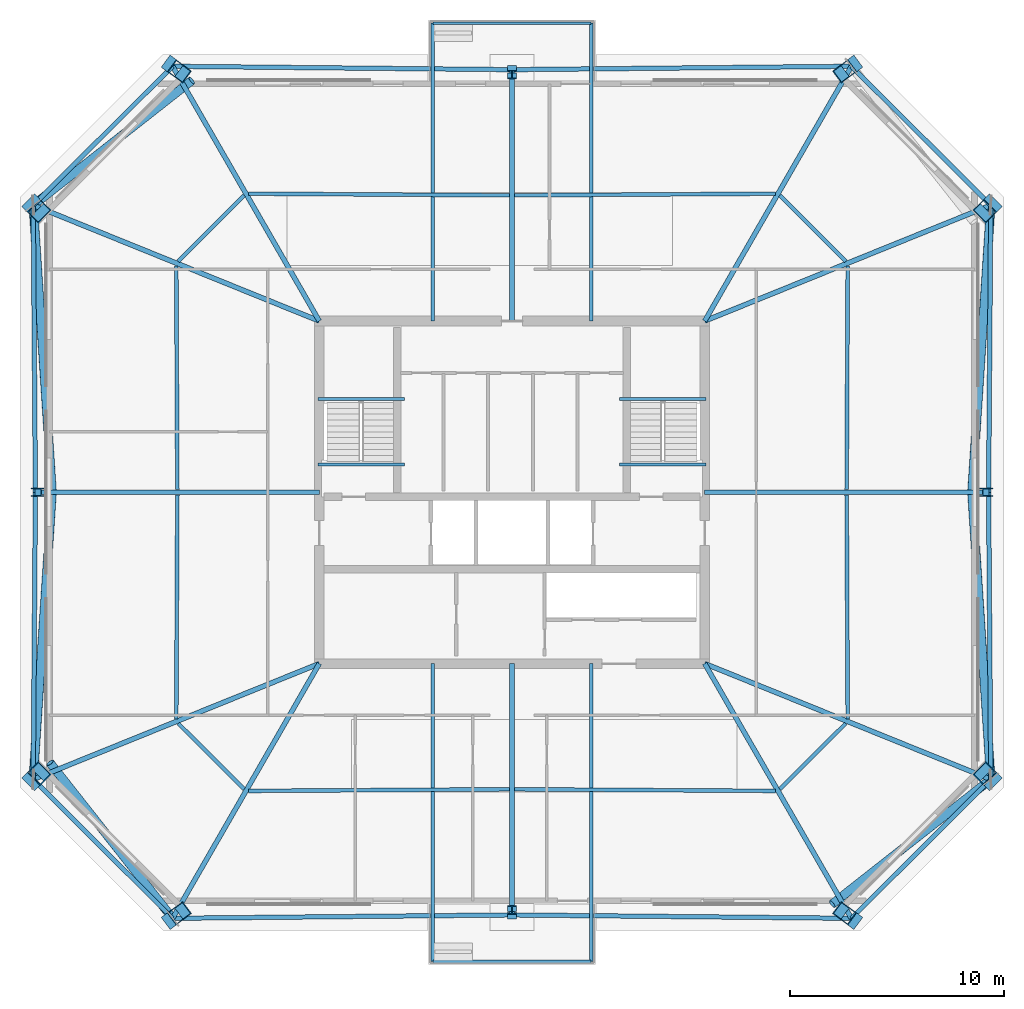
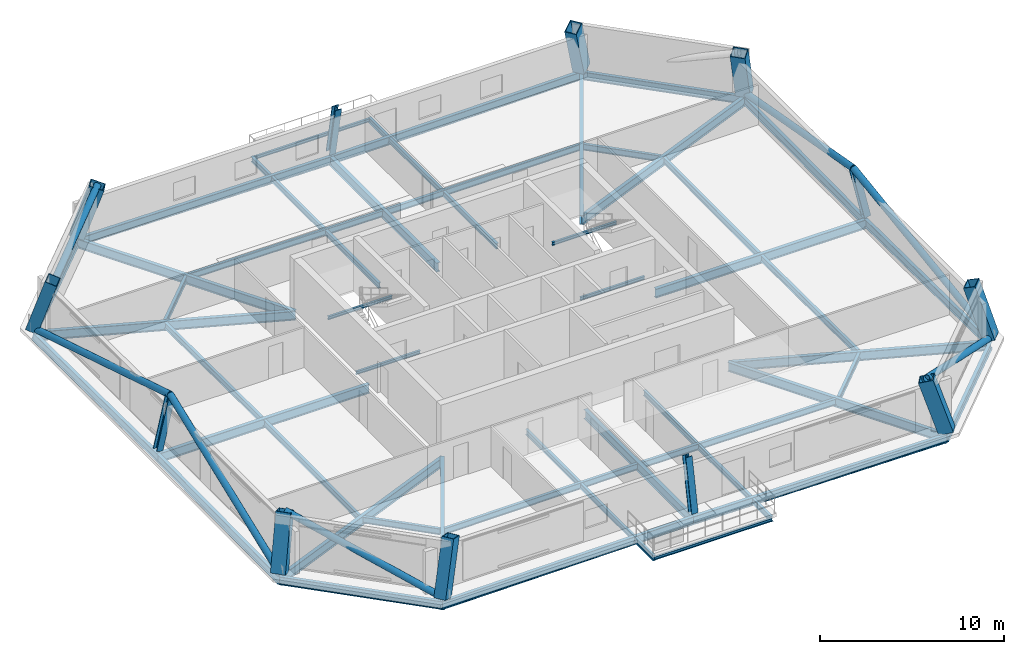
# One storey, part 1 of 6: 46 beams, 12 columns, 7 members.
"""IFC4 building model written with IfcOpenShell, lengths in metres."""

from ifc_helpers import new_model, si_unit, direction, frame, origin, origin_2d, place, context, subcontext, project, spatial, hollow_rectangle, hollow_circle, i_section, extrude, material, material_profile, profile_set, type_object, element, save


model = new_model("IFC4")

# Units and contexts
model_context = context("Model", 3, precision=1e-05, world=origin(), true_north=direction((0.0, 1.0)))
body_context = subcontext(model_context, "Body", "Model", "MODEL_VIEW")
ifc_project = project(units=[si_unit("LENGTHUNIT", "METRE"), si_unit("AREAUNIT", "SQUARE_METRE"), si_unit("VOLUMEUNIT", "CUBIC_METRE"), si_unit("PLANEANGLEUNIT", "RADIAN"), si_unit("MASSUNIT", "GRAM", prefix="KILO")], contexts=[model_context])

# Site, building, storey
site_placement = place(None, origin())
site = spatial("IfcSite", under=ifc_project, at=site_placement, CompositionType="ELEMENT")
building_placement = place(site_placement, origin())
building = spatial("IfcBuilding", under=site, at=building_placement, Name="Caelvoria Tower", CompositionType="ELEMENT")
storey_placement = place(building_placement, frame((0.0, 0.0, 195.0)))
storey = spatial("IfcBuildingStorey", under=building, at=storey_placement, Name="L51", CompositionType="ELEMENT", Elevation=195.0)

# Columns
ifc_material_1 = material(Name="Structural Steel ASTM A572 Gr.50", Category="steel")
ifc_material_profile_1 = material_profile(ifc_material_1, hollow_rectangle(XDim=0.699951171875, YDim=0.85009765625, WallThickness=0.0400390625, at=origin_2d()), Name="Structural Steel ASTM A572 Gr.50")
ifc_profile_set_1 = profile_set([ifc_material_profile_1], Name="BOX850X700X40 - Structural Steel ASTM A572 Gr.50")
column_type_1 = type_object("IfcColumnType", Name="Mega Box Column 850x700x40", PredefinedType="COLUMN", material=ifc_profile_set_1)
for number, where, z_axis, x_axis, name in (
    (1, (30.148681640625, 12.10302734375, 0.0), (0.251481665301, 0.187288203866, 0.949568376006), (-0.597296145547, 0.802020769379, 0.0), "Perimeter Megaframe Column L51-P00"),
    (2, (61.851318359375, 12.10302734375, 0.0), (-0.251481665301, 0.187288203866, 0.949568376006), (-0.597296145547, -0.802020769379, 0.0), "Perimeter Megaframe Column L51-P02"),
):
    element("IfcColumn", number, at=place(storey_placement, frame(where, z_axis=z_axis, x_axis=x_axis)), inside=storey, type_object=column_type_1, Name=name, PredefinedType="COLUMN", context=body_context, shape_type="SweptSolid", body=[
        extrude(hollow_rectangle(XDim=0.699951171875, YDim=0.85009765625, WallThickness=0.0400390625, at=origin_2d()), origin(), (0.0, 0.0, 1.0), 3.55224609375),
    ])
for number, where, z_axis, x_axis, name in (
    (3, (68.362548828125, 18.59033203125, 0.0), (-0.220934706476, 0.217976066682, 0.950617846365), (0.676704084266, -0.667642023966, 0.310363835155), "Perimeter Megaframe Column L51-P03"),
    (4, (68.362548828125, 45.40966796875, 0.0), (-0.220934706476, -0.217976066682, 0.950617846365), (0.676704084266, 0.667642023966, 0.310363835155), "Perimeter Megaframe Column L51-P05"),
):
    element("IfcColumn", number, at=place(storey_placement, frame(where, z_axis=z_axis, x_axis=x_axis)), inside=storey, type_object=column_type_1, Name=name, PredefinedType="COLUMN", context=body_context, shape_type="SweptSolid", body=[
        extrude(hollow_rectangle(XDim=0.699951171875, YDim=0.85009765625, WallThickness=0.0400390625, at=origin_2d()), origin(), (0.0, 0.0, 1.0), 3.54833984375),
    ])
for number, where, z_axis, x_axis, name in (
    (5, (61.851318359375, 51.89697265625, 0.0), (-0.251481665301, -0.187288203866, 0.949568376006), (0.597296145547, -0.802020769379, 0.0), "Perimeter Megaframe Column L51-P06"),
    (6, (30.148681640625, 51.89697265625, 0.0), (0.251481665301, -0.187288203866, 0.949568376006), (0.597296145547, 0.802020769379, 0.0), "Perimeter Megaframe Column L51-P08"),
):
    element("IfcColumn", number, at=place(storey_placement, frame(where, z_axis=z_axis, x_axis=x_axis)), inside=storey, type_object=column_type_1, Name=name, PredefinedType="COLUMN", context=body_context, shape_type="SweptSolid", body=[
        extrude(hollow_rectangle(XDim=0.699951171875, YDim=0.85009765625, WallThickness=0.0400390625, at=origin_2d()), origin(), (0.0, 0.0, 1.0), 3.55224609375),
    ])
for number, where, z_axis, x_axis, name in (
    (7, (23.637451171875, 45.40966796875, 0.0), (0.220934706476, -0.217976066682, 0.950617846365), (-0.676704084266, 0.667642023966, 0.310363835155), "Perimeter Megaframe Column L51-P09"),
    (8, (23.637451171875, 18.59033203125, 0.0), (0.220934706476, 0.217976066682, 0.950617846365), (-0.676704084266, -0.667642023966, 0.310363835155), "Perimeter Megaframe Column L51-P11"),
):
    element("IfcColumn", number, at=place(storey_placement, frame(where, z_axis=z_axis, x_axis=x_axis)), inside=storey, type_object=column_type_1, Name=name, PredefinedType="COLUMN", context=body_context, shape_type="SweptSolid", body=[
        extrude(hollow_rectangle(XDim=0.699951171875, YDim=0.85009765625, WallThickness=0.0400390625, at=origin_2d()), origin(), (0.0, 0.0, 1.0), 3.54833984375),
    ])
ifc_material_2 = material(Name="Structural Steel ASTM A992 Gr.50", Category="steel")
ifc_material_profile_2 = material_profile(ifc_material_2, i_section(OverallWidth=0.40087890625, OverallDepth=0.39892578125, WebThickness=0.02490234375, FlangeThickness=0.03955078125, FilletRadius=0.02490234375, at=origin_2d()), Name="Structural Steel ASTM A992 Gr.50")
ifc_profile_set_2 = profile_set([ifc_material_profile_2], Name="W360X314 - Structural Steel ASTM A992 Gr.50")
column_type_2 = type_object("IfcColumnType", Name="Upper Frame Column W360X314", PredefinedType="COLUMN", material=ifc_profile_set_2)
column_1_placement = place(storey_placement, frame((46.0, 12.260009765625, 0.0), z_axis=(0.0, 0.192002682774, 0.981394400742), x_axis=(-1.0, 0.0, 0.0)))
element("IfcColumn", 9, at=column_1_placement, inside=storey, type_object=column_type_2, Name="Perimeter Megaframe Column L51-P01", PredefinedType="COLUMN", context=body_context, shape_type="SweptSolid", body=[
    extrude(i_section(OverallWidth=0.40087890625, OverallDepth=0.39892578125, WebThickness=0.02490234375, FlangeThickness=0.03955078125, FilletRadius=0.02490234375, at=origin_2d()), origin(), (0.0, 0.0, 1.0), 3.43701171875),
])
column_2_placement = place(storey_placement, frame((68.260009765625, 32.0, 0.0), z_axis=(-0.225307554603, 0.0, 0.974287691516), x_axis=(0.974287691516, 0.0, 0.225307554603)))
element("IfcColumn", 10, at=column_2_placement, inside=storey, type_object=column_type_2, Name="Perimeter Megaframe Column L51-P04", PredefinedType="COLUMN", context=body_context, shape_type="SweptSolid", body=[
    extrude(i_section(OverallWidth=0.40087890625, OverallDepth=0.39892578125, WebThickness=0.02490234375, FlangeThickness=0.03955078125, FilletRadius=0.02490234375, at=origin_2d()), origin(), (0.0, 0.0, 1.0), 3.462158203125),
])
column_3_placement = place(storey_placement, frame((46.0, 51.739990234375, 0.0), z_axis=(0.0, -0.192002682774, 0.981394400742), x_axis=(1.0, 0.0, 0.0)))
element("IfcColumn", 11, at=column_3_placement, inside=storey, type_object=column_type_2, Name="Perimeter Megaframe Column L51-P07", PredefinedType="COLUMN", context=body_context, shape_type="SweptSolid", body=[
    extrude(i_section(OverallWidth=0.40087890625, OverallDepth=0.39892578125, WebThickness=0.02490234375, FlangeThickness=0.03955078125, FilletRadius=0.02490234375, at=origin_2d()), origin(), (0.0, 0.0, 1.0), 3.43701171875),
])
column_4_placement = place(storey_placement, frame((23.739990234375, 32.0, 0.0), z_axis=(0.225307554603, 0.0, 0.974287691516), x_axis=(-0.974287691516, 0.0, 0.225307554603)))
element("IfcColumn", 12, at=column_4_placement, inside=storey, type_object=column_type_2, Name="Perimeter Megaframe Column L51-P10", PredefinedType="COLUMN", context=body_context, shape_type="SweptSolid", body=[
    extrude(i_section(OverallWidth=0.40087890625, OverallDepth=0.39892578125, WebThickness=0.02490234375, FlangeThickness=0.03955078125, FilletRadius=0.02490234375, at=origin_2d()), origin(), (0.0, 0.0, 1.0), 3.462158203125),
])

# Beams
ifc_material_profile_3 = material_profile(ifc_material_2, i_section(OverallWidth=0.134033203125, OverallDepth=0.2099609375, WebThickness=0.00634765625, FlangeThickness=0.01025390625, FilletRadius=0.010009765625, at=origin_2d()), Name="Structural Steel ASTM A992 Gr.50")
ifc_profile_set_3 = profile_set([ifc_material_profile_3], Name="W200X31.3 - Structural Steel ASTM A992 Gr.50")
beam_type_1 = type_object("IfcBeamType", Name="Canopy Edge Trim Beam W200X31.3", PredefinedType="BEAM", material=ifc_profile_set_3)
for number, where, z_axis, x_axis, name in (
    (13, (42.300048828125, 10.090087890625, -0.428955078125), (1.0, 0.0, 0.0), (0.0, 1.0, 0.0), "Tree Balcony Edge Beam TB-L51-S"),
    (14, (42.300048828125, 53.909912109375, -0.428955078125), (1.0, 0.0, 0.0), (0.0, 1.0, 0.0), "Tree Balcony Edge Beam TB-L51-N"),
):
    element("IfcBeam", number, at=place(storey_placement, frame(where, z_axis=z_axis, x_axis=x_axis)), inside=storey, type_object=beam_type_1, Name=name, PredefinedType="BEAM", context=body_context, shape_type="SweptSolid", body=[
        extrude(i_section(OverallWidth=0.134033203125, OverallDepth=0.2099609375, WebThickness=0.00634765625, FlangeThickness=0.01025390625, FilletRadius=0.010009765625, at=origin_2d()), origin(), (0.0, 0.0, 1.0), 7.39990234375),
    ])
for number, where, z_axis, x_axis, name in (
    (15, (36.929931640625, 36.35009765625, 1.4951171875), (1.0, 0.0, 0.0), (0.0, 1.0, 0.0), "ST-01 Half-Landing Support Beam L51"),
    (16, (36.929931640625, 33.300048828125, -0.304931640625), (1.0, 0.0, 0.0), (0.0, 1.0, 0.0), "ST-01 Floor-Landing Support Beam L51"),
    (17, (51.030029296875, 36.35009765625, 1.4951171875), (1.0, 0.0, 0.0), (0.0, 1.0, 0.0), "ST-02 Half-Landing Support Beam L51"),
    (18, (51.030029296875, 33.300048828125, -0.304931640625), (1.0, 0.0, 0.0), (0.0, 1.0, 0.0), "ST-02 Floor-Landing Support Beam L51"),
):
    element("IfcBeam", number, at=place(storey_placement, frame(where, z_axis=z_axis, x_axis=x_axis)), inside=storey, type_object=beam_type_1, Name=name, PredefinedType="BEAM", context=body_context, shape_type="SweptSolid", body=[
        extrude(i_section(OverallWidth=0.134033203125, OverallDepth=0.2099609375, WebThickness=0.00634765625, FlangeThickness=0.01025390625, FilletRadius=0.010009765625, at=origin_2d()), origin(), (0.0, 0.0, 1.0), 4.0400390625),
    ])
ifc_material_profile_4 = material_profile(ifc_material_2, i_section(OverallWidth=0.22802734375, OverallDepth=0.60302734375, WebThickness=0.010498046875, FlangeThickness=0.014892578125, FilletRadius=0.01806640625, at=origin_2d()), Name="Structural Steel ASTM A992 Gr.50")
ifc_profile_set_4 = profile_set([ifc_material_profile_4], Name="W610X101 - Structural Steel ASTM A992 Gr.50")
beam_type_2 = type_object("IfcBeamType", Name="Primary Floor Girder W610X101", PredefinedType="BEAM", material=ifc_profile_set_4)
beam_1_placement = place(storey_placement, frame((37.0, 24.0, -0.526611328125), z_axis=(-0.499049029046, -0.866573751396, 0.0), x_axis=(0.866573751396, -0.499049029046, 0.0)))
element("IfcBeam", 19, at=beam_1_placement, inside=storey, type_object=beam_type_2, Name="Primary Floor Girder L51-00", PredefinedType="BEAM", context=body_context, shape_type="SweptSolid", body=[
    extrude(i_section(OverallWidth=0.22802734375, OverallDepth=0.60302734375, WebThickness=0.010498046875, FlangeThickness=0.014892578125, FilletRadius=0.01806640625, at=origin_2d()), origin(), (0.0, 0.0, 1.0), 13.728759765625),
])
beam_2_placement = place(storey_placement, frame((46.0, 24.0, -0.526611328125), z_axis=(0.0, -1.0, 0.0), x_axis=(1.0, 0.0, 0.0)))
element("IfcBeam", 20, at=beam_2_placement, inside=storey, type_object=beam_type_2, Name="Primary Floor Girder L51-01", PredefinedType="BEAM", context=body_context, shape_type="SweptSolid", body=[
    extrude(i_section(OverallWidth=0.22802734375, OverallDepth=0.60302734375, WebThickness=0.010498046875, FlangeThickness=0.014892578125, FilletRadius=0.01806640625, at=origin_2d()), origin(), (0.0, 0.0, 1.0), 11.739990234375),
])
beam_3_placement = place(storey_placement, frame((55.0, 24.0, -0.526611328125), z_axis=(0.499049029046, -0.866573751396, 0.0), x_axis=(0.866573751396, 0.499049029046, 0.0)))
element("IfcBeam", 21, at=beam_3_placement, inside=storey, type_object=beam_type_2, Name="Primary Floor Girder L51-02", PredefinedType="BEAM", context=body_context, shape_type="SweptSolid", body=[
    extrude(i_section(OverallWidth=0.22802734375, OverallDepth=0.60302734375, WebThickness=0.010498046875, FlangeThickness=0.014892578125, FilletRadius=0.01806640625, at=origin_2d()), origin(), (0.0, 0.0, 1.0), 13.728759765625),
])
beam_4_placement = place(storey_placement, frame((55.0, 24.0, -0.526611328125), z_axis=(0.92692227025, -0.375253387613, 0.0), x_axis=(0.375253387613, 0.92692227025, 0.0)))
element("IfcBeam", 22, at=beam_4_placement, inside=storey, type_object=beam_type_2, Name="Primary Floor Girder L51-03", PredefinedType="BEAM", context=body_context, shape_type="SweptSolid", body=[
    extrude(i_section(OverallWidth=0.22802734375, OverallDepth=0.60302734375, WebThickness=0.010498046875, FlangeThickness=0.014892578125, FilletRadius=0.01806640625, at=origin_2d()), origin(), (0.0, 0.0, 1.0), 14.416015625),
])
beam_5_placement = place(storey_placement, frame((55.0, 32.0, -0.526611328125), z_axis=(1.0, 0.0, 0.0), x_axis=(0.0, 1.0, 0.0)))
element("IfcBeam", 23, at=beam_5_placement, inside=storey, type_object=beam_type_2, Name="Primary Floor Girder L51-04", PredefinedType="BEAM", context=body_context, shape_type="SweptSolid", body=[
    extrude(i_section(OverallWidth=0.22802734375, OverallDepth=0.60302734375, WebThickness=0.010498046875, FlangeThickness=0.014892578125, FilletRadius=0.01806640625, at=origin_2d()), origin(), (0.0, 0.0, 1.0), 13.260009765625),
])
beam_6_placement = place(storey_placement, frame((55.0, 40.0, -0.526611328125), z_axis=(0.92692227025, 0.375253387613, 0.0), x_axis=(-0.375253387613, 0.92692227025, 0.0)))
element("IfcBeam", 24, at=beam_6_placement, inside=storey, type_object=beam_type_2, Name="Primary Floor Girder L51-05", PredefinedType="BEAM", context=body_context, shape_type="SweptSolid", body=[
    extrude(i_section(OverallWidth=0.22802734375, OverallDepth=0.60302734375, WebThickness=0.010498046875, FlangeThickness=0.014892578125, FilletRadius=0.01806640625, at=origin_2d()), origin(), (0.0, 0.0, 1.0), 14.416015625),
])
beam_7_placement = place(storey_placement, frame((55.0, 40.0, -0.526611328125), z_axis=(0.499049029046, 0.866573751396, 0.0), x_axis=(-0.866573751396, 0.499049029046, 0.0)))
element("IfcBeam", 25, at=beam_7_placement, inside=storey, type_object=beam_type_2, Name="Primary Floor Girder L51-06", PredefinedType="BEAM", context=body_context, shape_type="SweptSolid", body=[
    extrude(i_section(OverallWidth=0.22802734375, OverallDepth=0.60302734375, WebThickness=0.010498046875, FlangeThickness=0.014892578125, FilletRadius=0.01806640625, at=origin_2d()), origin(), (0.0, 0.0, 1.0), 13.728759765625),
])
beam_8_placement = place(storey_placement, frame((46.0, 40.0, -0.526611328125), z_axis=(0.0, 1.0, 0.0), x_axis=(-1.0, 0.0, 0.0)))
element("IfcBeam", 26, at=beam_8_placement, inside=storey, type_object=beam_type_2, Name="Primary Floor Girder L51-07", PredefinedType="BEAM", context=body_context, shape_type="SweptSolid", body=[
    extrude(i_section(OverallWidth=0.22802734375, OverallDepth=0.60302734375, WebThickness=0.010498046875, FlangeThickness=0.014892578125, FilletRadius=0.01806640625, at=origin_2d()), origin(), (0.0, 0.0, 1.0), 11.739990234375),
])
beam_9_placement = place(storey_placement, frame((37.0, 40.0, -0.526611328125), z_axis=(-0.499049029046, 0.866573751396, 0.0), x_axis=(-0.866573751396, -0.499049029046, 0.0)))
element("IfcBeam", 27, at=beam_9_placement, inside=storey, type_object=beam_type_2, Name="Primary Floor Girder L51-08", PredefinedType="BEAM", context=body_context, shape_type="SweptSolid", body=[
    extrude(i_section(OverallWidth=0.22802734375, OverallDepth=0.60302734375, WebThickness=0.010498046875, FlangeThickness=0.014892578125, FilletRadius=0.01806640625, at=origin_2d()), origin(), (0.0, 0.0, 1.0), 13.728759765625),
])
beam_10_placement = place(storey_placement, frame((37.0, 40.0, -0.526611328125), z_axis=(-0.92692227025, 0.375253387613, 0.0), x_axis=(-0.375253387613, -0.92692227025, 0.0)))
element("IfcBeam", 28, at=beam_10_placement, inside=storey, type_object=beam_type_2, Name="Primary Floor Girder L51-09", PredefinedType="BEAM", context=body_context, shape_type="SweptSolid", body=[
    extrude(i_section(OverallWidth=0.22802734375, OverallDepth=0.60302734375, WebThickness=0.010498046875, FlangeThickness=0.014892578125, FilletRadius=0.01806640625, at=origin_2d()), origin(), (0.0, 0.0, 1.0), 14.416015625),
])
beam_11_placement = place(storey_placement, frame((37.0, 32.0, -0.526611328125), z_axis=(-1.0, 0.0, 0.0), x_axis=(0.0, -1.0, 0.0)))
element("IfcBeam", 29, at=beam_11_placement, inside=storey, type_object=beam_type_2, Name="Primary Floor Girder L51-10", PredefinedType="BEAM", context=body_context, shape_type="SweptSolid", body=[
    extrude(i_section(OverallWidth=0.22802734375, OverallDepth=0.60302734375, WebThickness=0.010498046875, FlangeThickness=0.014892578125, FilletRadius=0.01806640625, at=origin_2d()), origin(), (0.0, 0.0, 1.0), 13.260009765625),
])
beam_12_placement = place(storey_placement, frame((37.0, 24.0, -0.526611328125), z_axis=(-0.92692227025, -0.375253387613, 0.0), x_axis=(0.375253387613, -0.92692227025, 0.0)))
element("IfcBeam", 30, at=beam_12_placement, inside=storey, type_object=beam_type_2, Name="Primary Floor Girder L51-11", PredefinedType="BEAM", context=body_context, shape_type="SweptSolid", body=[
    extrude(i_section(OverallWidth=0.22802734375, OverallDepth=0.60302734375, WebThickness=0.010498046875, FlangeThickness=0.014892578125, FilletRadius=0.01806640625, at=origin_2d()), origin(), (0.0, 0.0, 1.0), 14.416015625),
])
ifc_material_profile_5 = material_profile(ifc_material_2, i_section(OverallWidth=0.177978515625, OverallDepth=0.406982421875, WebThickness=0.0078125, FlangeThickness=0.0126953125, FilletRadius=0.013916015625, at=origin_2d()), Name="Structural Steel ASTM A992 Gr.50")
ifc_profile_set_5 = profile_set([ifc_material_profile_5], Name="W410X60 - Structural Steel ASTM A992 Gr.50")
beam_type_3 = type_object("IfcBeamType", Name="Secondary Floor Beam W410X60", PredefinedType="BEAM", material=ifc_profile_set_5)
for number, where, z_axis, x_axis, name in (
    (31, (33.69921875, 18.05224609375, -0.428466796875), (0.999980053599, 0.006316043409, 0.0), (-0.006316043409, 0.999980053599, 0.0), "Secondary Floor Beam L51-00"),
    (32, (46.125, 18.129150390625, -0.428466796875), (0.999980053599, -0.006316043409, 0.0), (0.006316043409, 0.999980053599, 0.0), "Secondary Floor Beam L51-01"),
):
    element("IfcBeam", number, at=place(storey_placement, frame(where, z_axis=z_axis, x_axis=x_axis)), inside=storey, type_object=beam_type_3, Name=name, PredefinedType="BEAM", context=body_context, shape_type="SweptSolid", body=[
        extrude(i_section(OverallWidth=0.177978515625, OverallDepth=0.406982421875, WebThickness=0.0078125, FlangeThickness=0.0126953125, FilletRadius=0.013916015625, at=origin_2d()), origin(), (0.0, 0.0, 1.0), 12.176025390625),
    ])
beam_13_placement = place(storey_placement, frame((58.514404296875, 18.1396484375, -0.428466796875), z_axis=(0.708369794619, 0.705841507756, 0.0), x_axis=(-0.705841507756, 0.708369794619, 0.0)))
element("IfcBeam", 33, at=beam_13_placement, inside=storey, type_object=beam_type_3, Name="Secondary Floor Beam L51-02", PredefinedType="BEAM", context=body_context, shape_type="SweptSolid", body=[
    extrude(i_section(OverallWidth=0.177978515625, OverallDepth=0.406982421875, WebThickness=0.0078125, FlangeThickness=0.0126953125, FilletRadius=0.013916015625, at=origin_2d()), origin(), (0.0, 0.0, 1.0), 4.345458984375),
])
for number, where, z_axis, x_axis, name in (
    (34, (61.6806640625, 21.420166015625, -0.428466796875), (-0.004787092242, 0.999988541808, 0.0), (-0.999988541808, -0.004787092242, 0.0), "Secondary Floor Beam L51-03"),
    (35, (61.630615234375, 32.125, -0.428466796875), (0.004787092242, 0.999988541808, 0.0), (-0.999988541808, 0.004787092242, 0.0), "Secondary Floor Beam L51-04"),
):
    element("IfcBeam", number, at=place(storey_placement, frame(where, z_axis=z_axis, x_axis=x_axis)), inside=storey, type_object=beam_type_3, Name=name, PredefinedType="BEAM", context=body_context, shape_type="SweptSolid", body=[
        extrude(i_section(OverallWidth=0.177978515625, OverallDepth=0.406982421875, WebThickness=0.0078125, FlangeThickness=0.0126953125, FilletRadius=0.013916015625, at=origin_2d()), origin(), (0.0, 0.0, 1.0), 10.454833984375),
    ])
beam_14_placement = place(storey_placement, frame((61.592529296875, 42.793212890625, -0.428466796875), z_axis=(-0.708369794619, 0.705841507756, 0.0), x_axis=(-0.705841507756, -0.708369794619, 0.0)))
element("IfcBeam", 36, at=beam_14_placement, inside=storey, type_object=beam_type_3, Name="Secondary Floor Beam L51-05", PredefinedType="BEAM", context=body_context, shape_type="SweptSolid", body=[
    extrude(i_section(OverallWidth=0.177978515625, OverallDepth=0.406982421875, WebThickness=0.0078125, FlangeThickness=0.0126953125, FilletRadius=0.013916015625, at=origin_2d()), origin(), (0.0, 0.0, 1.0), 4.345458984375),
])
for number, where, z_axis, x_axis, name in (
    (37, (58.30078125, 45.94775390625, -0.428466796875), (-0.999980053599, -0.006316043409, 0.0), (0.006316043409, -0.999980053599, 0.0), "Secondary Floor Beam L51-06"),
    (38, (45.875, 45.870849609375, -0.428466796875), (-0.999980053599, 0.006316043409, 0.0), (-0.006316043409, -0.999980053599, 0.0), "Secondary Floor Beam L51-07"),
):
    element("IfcBeam", number, at=place(storey_placement, frame(where, z_axis=z_axis, x_axis=x_axis)), inside=storey, type_object=beam_type_3, Name=name, PredefinedType="BEAM", context=body_context, shape_type="SweptSolid", body=[
        extrude(i_section(OverallWidth=0.177978515625, OverallDepth=0.406982421875, WebThickness=0.0078125, FlangeThickness=0.0126953125, FilletRadius=0.013916015625, at=origin_2d()), origin(), (0.0, 0.0, 1.0), 12.176025390625),
    ])
beam_15_placement = place(storey_placement, frame((33.485595703125, 45.8603515625, -0.428466796875), z_axis=(-0.708369794619, -0.705841507756, 0.0), x_axis=(0.705841507756, -0.708369794619, 0.0)))
element("IfcBeam", 39, at=beam_15_placement, inside=storey, type_object=beam_type_3, Name="Secondary Floor Beam L51-08", PredefinedType="BEAM", context=body_context, shape_type="SweptSolid", body=[
    extrude(i_section(OverallWidth=0.177978515625, OverallDepth=0.406982421875, WebThickness=0.0078125, FlangeThickness=0.0126953125, FilletRadius=0.013916015625, at=origin_2d()), origin(), (0.0, 0.0, 1.0), 4.345458984375),
])
for number, where, z_axis, x_axis, name in (
    (40, (30.3193359375, 42.579833984375, -0.428466796875), (0.004787092242, -0.999988541808, 0.0), (0.999988541808, 0.004787092242, 0.0), "Secondary Floor Beam L51-09"),
    (41, (30.369384765625, 31.875, -0.428466796875), (-0.004787092242, -0.999988541808, 0.0), (0.999988541808, -0.004787092242, 0.0), "Secondary Floor Beam L51-10"),
):
    element("IfcBeam", number, at=place(storey_placement, frame(where, z_axis=z_axis, x_axis=x_axis)), inside=storey, type_object=beam_type_3, Name=name, PredefinedType="BEAM", context=body_context, shape_type="SweptSolid", body=[
        extrude(i_section(OverallWidth=0.177978515625, OverallDepth=0.406982421875, WebThickness=0.0078125, FlangeThickness=0.0126953125, FilletRadius=0.013916015625, at=origin_2d()), origin(), (0.0, 0.0, 1.0), 10.454833984375),
    ])
beam_16_placement = place(storey_placement, frame((30.407470703125, 21.206787109375, -0.428466796875), z_axis=(0.708369794619, -0.705841507756, 0.0), x_axis=(0.705841507756, 0.708369794619, 0.0)))
element("IfcBeam", 42, at=beam_16_placement, inside=storey, type_object=beam_type_3, Name="Secondary Floor Beam L51-11", PredefinedType="BEAM", context=body_context, shape_type="SweptSolid", body=[
    extrude(i_section(OverallWidth=0.177978515625, OverallDepth=0.406982421875, WebThickness=0.0078125, FlangeThickness=0.0126953125, FilletRadius=0.013916015625, at=origin_2d()), origin(), (0.0, 0.0, 1.0), 4.345458984375),
])
ifc_material_profile_6 = material_profile(ifc_material_2, i_section(OverallWidth=0.1708984375, OverallDepth=0.35498046875, WebThickness=0.007080078125, FlangeThickness=0.01171875, FilletRadius=0.012939453125, at=origin_2d()), Name="Structural Steel ASTM A992 Gr.50")
ifc_profile_set_6 = profile_set([ifc_material_profile_6], Name="W360X51 - Structural Steel ASTM A992 Gr.50")
beam_type_4 = type_object("IfcBeamType", Name="Tree Balcony Cantilever Beam W360X51", PredefinedType="BEAM", material=ifc_profile_set_6)
for number, where, z_axis, x_axis, name in (
    (43, (42.300048828125, 24.0, -0.428955078125), (0.0, -1.0, 0.0), (1.0, 0.0, 0.0), "Tree Balcony Cantilever Beam TB-L51-S L"),
    (44, (49.699951171875, 24.0, -0.428955078125), (0.0, -1.0, 0.0), (1.0, 0.0, 0.0), "Tree Balcony Cantilever Beam TB-L51-S R"),
    (45, (42.300048828125, 40.0, -0.428955078125), (0.0, 1.0, 0.0), (-1.0, 0.0, 0.0), "Tree Balcony Cantilever Beam TB-L51-N L"),
    (46, (49.699951171875, 40.0, -0.428955078125), (0.0, 1.0, 0.0), (-1.0, 0.0, 0.0), "Tree Balcony Cantilever Beam TB-L51-N R"),
):
    element("IfcBeam", number, at=place(storey_placement, frame(where, z_axis=z_axis, x_axis=x_axis)), inside=storey, type_object=beam_type_4, Name=name, PredefinedType="BEAM", context=body_context, shape_type="SweptSolid", body=[
        extrude(i_section(OverallWidth=0.1708984375, OverallDepth=0.35498046875, WebThickness=0.007080078125, FlangeThickness=0.01171875, FilletRadius=0.012939453125, at=origin_2d()), origin(), (0.0, 0.0, 1.0), 13.909912109375),
    ])

# Members
ifc_material_profile_7 = material_profile(ifc_material_1, hollow_circle(Radius=0.202880859375, WallThickness=0.01611328125, at=origin_2d()), Name="Structural Steel ASTM A572 Gr.50")
ifc_profile_set_7 = profile_set([ifc_material_profile_7], Name="CHS406X16 - Structural Steel ASTM A572 Gr.50")
member_type = type_object("IfcMemberType", Name="Upper Perimeter Mega Brace CHS406X16", PredefinedType="BRACE", material=ifc_profile_set_7)
for number, where, z_axis, x_axis, name in (
    (47, (68.362548828125, 18.59033203125, 0.0), (-0.740033191159, -0.5818711962, 0.337308148458), (0.618095096979, -0.786103333596, 0.0), "Perimeter Chamfer Mega Brace L51 SE"),
    (48, (23.637451171875, 45.40966796875, 0.0), (0.740033191159, 0.5818711962, 0.337308148458), (-0.618095096979, 0.786103333596, 0.0), "Perimeter Chamfer Mega Brace L51 NW"),
):
    element("IfcMember", number, at=place(storey_placement, frame(where, z_axis=z_axis, x_axis=x_axis)), inside=storey, type_object=member_type, Name=name, PredefinedType="BRACE", context=body_context, shape_type="SweptSolid", body=[
        extrude(hollow_circle(Radius=0.202880859375, WallThickness=0.01611328125, at=origin_2d()), origin(), (0.0, 0.0, 1.0), 10.005615234375),
    ])
member_placement = place(storey_placement, frame((30.148681640625, 12.10302734375, 0.0), z_axis=(-0.581785928912, 0.737555459562, 0.342836808103), x_axis=(-0.785138815448, -0.619319820834, 0.0)))
element("IfcMember", 49, at=member_placement, inside=storey, type_object=member_type, Name="Perimeter Chamfer Mega Brace L51 SW", PredefinedType="BRACE", context=body_context, shape_type="SweptSolid", body=[
    extrude(hollow_circle(Radius=0.202880859375, WallThickness=0.01611328125, at=origin_2d()), origin(), (0.0, 0.0, 1.0), 9.84423828125),
])
for number, where, z_axis, x_axis, name in (
    (50, (68.362548828125, 18.59033203125, 0.0), (-0.063695751604, 0.96778778772, 0.243576782898), (-0.997841149724, -0.065673738416, 0.0), "Perimeter Cardinal Mega Brace L51 EA"),
    (51, (68.362548828125, 45.40966796875, 0.0), (-0.063695751604, -0.96778778772, 0.243576782898), (0.997841149724, -0.065673738416, 0.0), "Perimeter Cardinal Mega Brace L51 EB"),
    (52, (23.637451171875, 45.40966796875, 0.0), (0.063695751604, -0.96778778772, 0.243576782898), (0.997841149724, 0.065673738416, 0.0), "Perimeter Cardinal Mega Brace L51 WA"),
    (53, (23.637451171875, 18.59033203125, 0.0), (0.063695751604, 0.96778778772, 0.243576782898), (-0.997841149724, 0.065673738416, 0.0), "Perimeter Cardinal Mega Brace L51 WB"),
):
    element("IfcMember", number, at=place(storey_placement, frame(where, z_axis=z_axis, x_axis=x_axis)), inside=storey, type_object=member_type, Name=name, PredefinedType="BRACE", context=body_context, shape_type="SweptSolid", body=[
        extrude(hollow_circle(Radius=0.202880859375, WallThickness=0.01611328125, at=origin_2d()), origin(), (0.0, 0.0, 1.0), 13.85595703125),
    ])

# Beams
ifc_material_profile_8 = material_profile(ifc_material_2, i_section(OverallWidth=0.208984375, OverallDepth=0.532958984375, WebThickness=0.01025390625, FlangeThickness=0.015625, FilletRadius=0.01611328125, at=origin_2d()), Name="Structural Steel ASTM A992 Gr.50")
ifc_profile_set_8 = profile_set([ifc_material_profile_8], Name="W530X92 - Structural Steel ASTM A992 Gr.50")
beam_type_5 = type_object("IfcBeamType", Name="Upper Zone Spandrel W530X92", PredefinedType="BEAM", material=ifc_profile_set_8)
for number, where, z_axis, x_axis, name in (
    (54, (30.148681640625, 12.10302734375, -0.491455078125), (0.999950964644, 0.009902944388, 0.0), (-0.009902944388, 0.999950964644, 0.0), "Perimeter Spandrel Girder L51-00"),
    (55, (46.0, 12.260009765625, -0.491455078125), (0.999950964644, -0.009902944388, 0.0), (0.009902944388, 0.999950964644, 0.0), "Perimeter Spandrel Girder L51-01"),
):
    element("IfcBeam", number, at=place(storey_placement, frame(where, z_axis=z_axis, x_axis=x_axis)), inside=storey, type_object=beam_type_5, Name=name, PredefinedType="BEAM", context=body_context, shape_type="SweptSolid", body=[
        extrude(i_section(OverallWidth=0.208984375, OverallDepth=0.532958984375, WebThickness=0.01025390625, FlangeThickness=0.015625, FilletRadius=0.01611328125, at=origin_2d()), origin(), (0.0, 0.0, 1.0), 15.85205078125),
    ])
beam_17_placement = place(storey_placement, frame((61.851318359375, 12.10302734375, -0.491455078125), z_axis=(0.708407118739, 0.705804047962, 0.0), x_axis=(-0.705804047962, 0.708407118739, 0.0)))
element("IfcBeam", 56, at=beam_17_placement, inside=storey, type_object=beam_type_5, Name="Perimeter Spandrel Girder L51-02", PredefinedType="BEAM", context=body_context, shape_type="SweptSolid", body=[
    extrude(i_section(OverallWidth=0.208984375, OverallDepth=0.532958984375, WebThickness=0.01025390625, FlangeThickness=0.015625, FilletRadius=0.01611328125, at=origin_2d()), origin(), (0.0, 0.0, 1.0), 9.19140625),
])
for number, where, z_axis, x_axis, name in (
    (57, (68.362548828125, 18.59033203125, -0.491455078125), (-0.007646428314, 0.99997076564, 0.0), (-0.99997076564, -0.007646428314, 0.0), "Perimeter Spandrel Girder L51-03"),
    (58, (68.260009765625, 32.0, -0.491455078125), (0.007646428314, 0.99997076564, 0.0), (-0.99997076564, 0.007646428314, 0.0), "Perimeter Spandrel Girder L51-04"),
):
    element("IfcBeam", number, at=place(storey_placement, frame(where, z_axis=z_axis, x_axis=x_axis)), inside=storey, type_object=beam_type_5, Name=name, PredefinedType="BEAM", context=body_context, shape_type="SweptSolid", body=[
        extrude(i_section(OverallWidth=0.208984375, OverallDepth=0.532958984375, WebThickness=0.01025390625, FlangeThickness=0.015625, FilletRadius=0.01611328125, at=origin_2d()), origin(), (0.0, 0.0, 1.0), 13.41015625),
    ])
beam_18_placement = place(storey_placement, frame((68.362548828125, 45.40966796875, -0.491455078125), z_axis=(-0.708407118739, 0.705804047962, 0.0), x_axis=(-0.705804047962, -0.708407118739, 0.0)))
element("IfcBeam", 59, at=beam_18_placement, inside=storey, type_object=beam_type_5, Name="Perimeter Spandrel Girder L51-05", PredefinedType="BEAM", context=body_context, shape_type="SweptSolid", body=[
    extrude(i_section(OverallWidth=0.208984375, OverallDepth=0.532958984375, WebThickness=0.01025390625, FlangeThickness=0.015625, FilletRadius=0.01611328125, at=origin_2d()), origin(), (0.0, 0.0, 1.0), 9.19140625),
])
for number, where, z_axis, x_axis, name in (
    (60, (61.851318359375, 51.89697265625, -0.491455078125), (-0.999950964644, -0.009902944388, 0.0), (0.009902944388, -0.999950964644, 0.0), "Perimeter Spandrel Girder L51-06"),
    (61, (46.0, 51.739990234375, -0.491455078125), (-0.999950964644, 0.009902944388, 0.0), (-0.009902944388, -0.999950964644, 0.0), "Perimeter Spandrel Girder L51-07"),
):
    element("IfcBeam", number, at=place(storey_placement, frame(where, z_axis=z_axis, x_axis=x_axis)), inside=storey, type_object=beam_type_5, Name=name, PredefinedType="BEAM", context=body_context, shape_type="SweptSolid", body=[
        extrude(i_section(OverallWidth=0.208984375, OverallDepth=0.532958984375, WebThickness=0.01025390625, FlangeThickness=0.015625, FilletRadius=0.01611328125, at=origin_2d()), origin(), (0.0, 0.0, 1.0), 15.85205078125),
    ])
beam_19_placement = place(storey_placement, frame((30.148681640625, 51.89697265625, -0.491455078125), z_axis=(-0.708407118739, -0.705804047962, 0.0), x_axis=(0.705804047962, -0.708407118739, 0.0)))
element("IfcBeam", 62, at=beam_19_placement, inside=storey, type_object=beam_type_5, Name="Perimeter Spandrel Girder L51-08", PredefinedType="BEAM", context=body_context, shape_type="SweptSolid", body=[
    extrude(i_section(OverallWidth=0.208984375, OverallDepth=0.532958984375, WebThickness=0.01025390625, FlangeThickness=0.015625, FilletRadius=0.01611328125, at=origin_2d()), origin(), (0.0, 0.0, 1.0), 9.19140625),
])
for number, where, z_axis, x_axis, name in (
    (63, (23.637451171875, 45.40966796875, -0.491455078125), (0.007646428314, -0.99997076564, 0.0), (0.99997076564, 0.007646428314, 0.0), "Perimeter Spandrel Girder L51-09"),
    (64, (23.739990234375, 32.0, -0.491455078125), (-0.007646428314, -0.99997076564, 0.0), (0.99997076564, -0.007646428314, 0.0), "Perimeter Spandrel Girder L51-10"),
):
    element("IfcBeam", number, at=place(storey_placement, frame(where, z_axis=z_axis, x_axis=x_axis)), inside=storey, type_object=beam_type_5, Name=name, PredefinedType="BEAM", context=body_context, shape_type="SweptSolid", body=[
        extrude(i_section(OverallWidth=0.208984375, OverallDepth=0.532958984375, WebThickness=0.01025390625, FlangeThickness=0.015625, FilletRadius=0.01611328125, at=origin_2d()), origin(), (0.0, 0.0, 1.0), 13.41015625),
    ])
beam_20_placement = place(storey_placement, frame((23.637451171875, 18.59033203125, -0.491455078125), z_axis=(0.708407118739, -0.705804047962, 0.0), x_axis=(0.705804047962, 0.708407118739, 0.0)))
element("IfcBeam", 65, at=beam_20_placement, inside=storey, type_object=beam_type_5, Name="Perimeter Spandrel Girder L51-11", PredefinedType="BEAM", context=body_context, shape_type="SweptSolid", body=[
    extrude(i_section(OverallWidth=0.208984375, OverallDepth=0.532958984375, WebThickness=0.01025390625, FlangeThickness=0.015625, FilletRadius=0.01611328125, at=origin_2d()), origin(), (0.0, 0.0, 1.0), 9.19140625),
])

save(model, "model.ifc")
